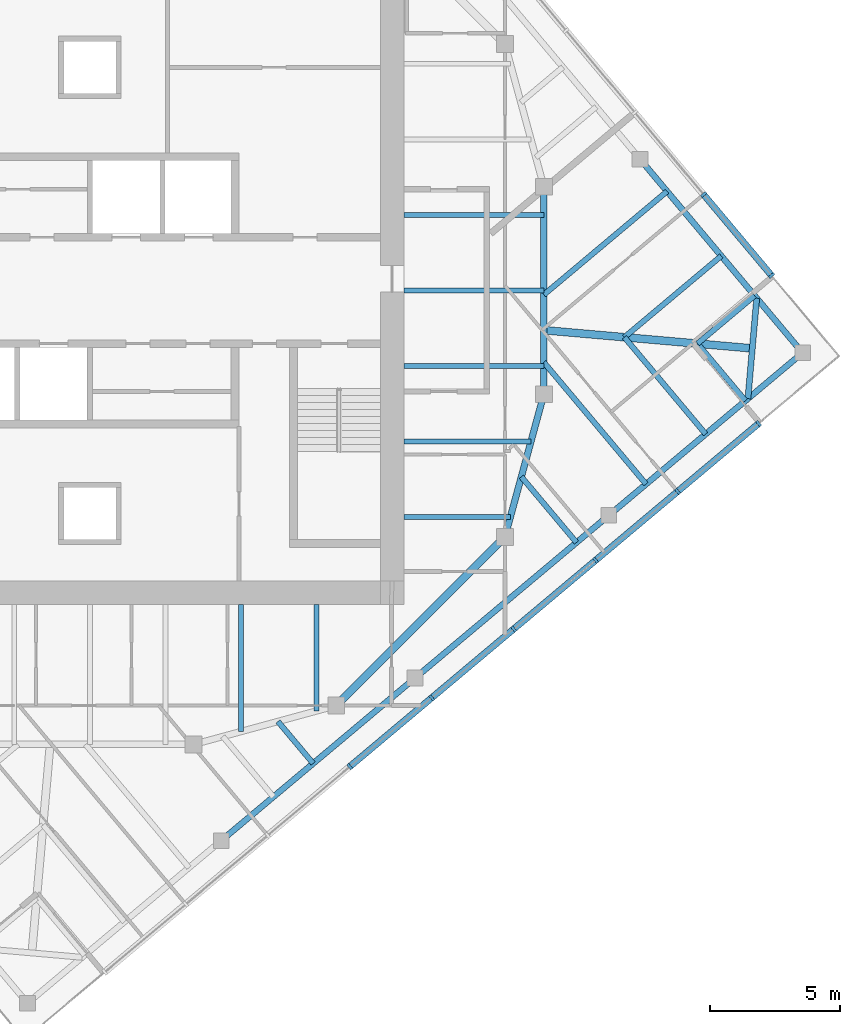
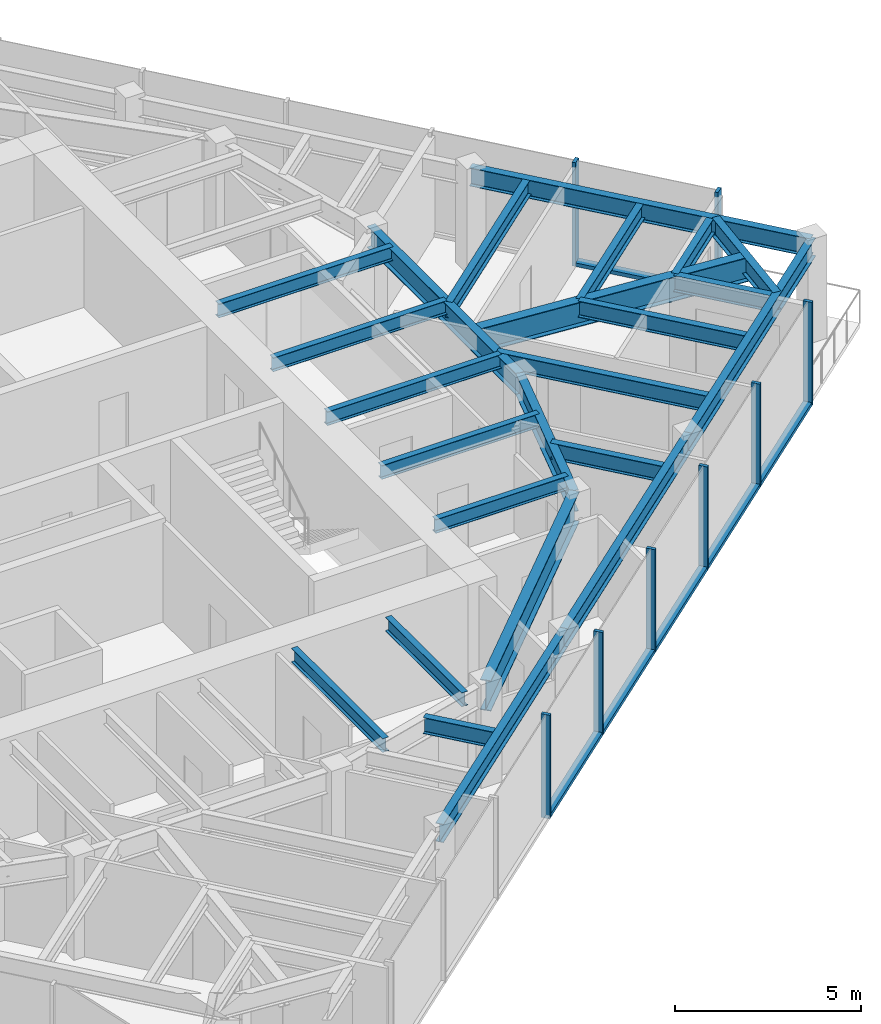
# One storey, part 3 of 12: 24 beams, 14 members, 2 elements without a shape of their own.
"""IFC4 building model written with IfcOpenShell, lengths in metres."""

import ifcopenshell
import ifcopenshell.guid

model = None  # the IFC model being written
_history = None  # IfcOwnerHistory: only IFC2X3 demands one
_inside = {}  # id of a spatial element -> (the spatial element, [elements in it])
_under = {}  # id of a project, library or spatial element -> (it, [spatial elements below it])
_declared = {}  # id of a project -> (the project, [libraries it declares])
_typed = {}  # id of a type object -> (the type object, [elements of that type])
_made_of = {}  # id of a material, layer set ... -> (it, [elements and type objects made of it])


def new_model(schema):
    """Start an empty IFC model of exactly this schema.

    Asked for "IFC4X3", IfcOpenShell would pick the latest addendum, in which some entities
    have other attributes; the version numbers below select the first issue.
    IFC2X3 requires an IfcOwnerHistory on every rooted entity: one is made here for all.
    """
    global model, _history
    if schema == "IFC4X3":
        model = ifcopenshell.file(schema_version=(4, 3, 0, 0))
    else:
        model = ifcopenshell.file(schema=schema)
    _inside.clear()
    _under.clear()
    _declared.clear()
    _typed.clear()
    _made_of.clear()
    _history = None
    if model.schema == "IFC2X3":
        org = make("IfcOrganization", Name="unknown")
        user = make(
            "IfcPersonAndOrganization",
            ThePerson=make("IfcPerson", FamilyName="unknown"),
            TheOrganization=org,
        )
        app = make(
            "IfcApplication",
            ApplicationDeveloper=org,
            Version="unknown",
            ApplicationFullName="unknown",
            ApplicationIdentifier="unknown",
        )
        _history = make(
            "IfcOwnerHistory",
            OwningUser=user,
            OwningApplication=app,
            ChangeAction="ADDED",
            CreationDate=0,
        )
    return model


def make(cls, **values):
    """One entity of the class cls with the attributes given. An attribute that is None is left unset."""
    return model.create_entity(
        cls, **{name: value for name, value in values.items() if value is not None}
    )


def rooted(cls, **values):
    """An entity with a GlobalId (a new one), such as an element, a storey or a relation."""
    return make(cls, GlobalId=ifcopenshell.guid.new(), OwnerHistory=_history, **values)


def si_unit(unit_type, name, prefix=None):
    """IfcSIUnit, for example si_unit("LENGTHUNIT", "METRE", prefix="MILLI")."""
    return make("IfcSIUnit", UnitType=unit_type, Prefix=prefix, Name=name)


def assignment(units):
    """IfcUnitAssignment: the units of a project."""
    return None if units is None else make("IfcUnitAssignment", Units=units)


def point(xyz):
    """IfcCartesianPoint."""
    return None if xyz is None else make("IfcCartesianPoint", Coordinates=xyz)


def direction(xyz):
    """IfcDirection."""
    return None if xyz is None else make("IfcDirection", DirectionRatios=xyz)


def frame(location, z_axis=None, x_axis=None):
    """IfcAxis2Placement3D, a coordinate frame: its origin and axes. An axis left out is left unset."""
    return make(
        "IfcAxis2Placement3D",
        Location=point(location),
        Axis=direction(z_axis),
        RefDirection=direction(x_axis),
    )


def frame_2d(location, x_axis=None):
    """IfcAxis2Placement2D, a coordinate frame in the plane: its origin and x axis."""
    return make(
        "IfcAxis2Placement2D", Location=point(location), RefDirection=direction(x_axis)
    )


def origin():
    """The frame at (0, 0, 0) with its axes left unset."""
    return frame((0.0, 0.0, 0.0))


def origin_2d():
    """The frame at (0, 0) in the plane with its x axis left unset."""
    return frame_2d((0.0, 0.0))


def place(relative_to, where):
    """IfcLocalPlacement: puts the frame where relative to a parent placement (None: the world)."""
    return make(
        "IfcLocalPlacement", PlacementRelTo=relative_to, RelativePlacement=where
    )


def context(
    kind, dimensions, precision=None, world=None, true_north=None, identifier=None
):
    """IfcGeometricRepresentationContext, for example the 3D "Model" context."""
    return make(
        "IfcGeometricRepresentationContext",
        ContextIdentifier=identifier,
        ContextType=kind,
        CoordinateSpaceDimension=dimensions,
        Precision=precision,
        WorldCoordinateSystem=world,
        TrueNorth=true_north,
    )


def subcontext(parent, identifier, kind, view, scale=None):
    """IfcGeometricRepresentationSubContext, for example "Body" below "Model"."""
    return make(
        "IfcGeometricRepresentationSubContext",
        ContextIdentifier=identifier,
        ContextType=kind,
        ParentContext=parent,
        TargetScale=scale,
        TargetView=view,
    )


def project(units=None, contexts=None):
    """IfcProject with its units and contexts."""
    return rooted(
        "IfcProject",
        Name="project",
        RepresentationContexts=contexts,
        UnitsInContext=assignment(units),
    )


def spatial(cls, under=None, at=None, **own):
    """A site, building, storey or space (cls), placed at a placement, below another one or the project."""
    s = rooted(cls, ObjectPlacement=at, **own)
    if under is not None:
        _under.setdefault(under.id(), (under, []))[1].append(s)
    return s


def profile(cls, at=None, kind="AREA", **sizes):
    """A parametric profile (cls). Its sizes go by their IFC names, for example OverallWidth=200.0."""
    return make(cls, ProfileType=kind, Position=at, **sizes)


def rectangle(**sizes):
    """IfcRectangleProfileDef."""
    return profile("IfcRectangleProfileDef", **sizes)


def i_section(**sizes):
    """IfcIShapeProfileDef."""
    return profile("IfcIShapeProfileDef", **sizes)


def extrude(swept, where, along, depth):
    """IfcExtrudedAreaSolid: the profile swept, set in the frame where, extruded along a direction by depth."""
    return make(
        "IfcExtrudedAreaSolid",
        SweptArea=swept,
        Position=where,
        ExtrudedDirection=direction(along),
        Depth=depth,
    )


def shape(context_of_items, identifier, shape_type, items):
    """IfcShapeRepresentation: the items that make up one representation, for example the "Body"."""
    return make(
        "IfcShapeRepresentation",
        ContextOfItems=context_of_items,
        RepresentationIdentifier=identifier,
        RepresentationType=shape_type,
        Items=items,
    )


def material(Name=None, Category=None):
    """IfcMaterial."""
    return make("IfcMaterial", Name=Name, Category=Category)


def material_profile(
    of_material, cross_section, Name=None, Category=None, Priority=None
):
    """IfcMaterialProfile: a cross section and its material."""
    return make(
        "IfcMaterialProfile",
        Name=Name,
        Material=of_material,
        Profile=cross_section,
        Priority=Priority,
        Category=Category,
    )


def profile_set(profiles, Name=None, composite=None):
    """IfcMaterialProfileSet."""
    return make(
        "IfcMaterialProfileSet",
        Name=Name,
        MaterialProfiles=profiles,
        CompositeProfile=composite,
    )


def made_of(thing, what):
    """Note that an element or type object is made of a material, layer set ...; save() writes the relation."""
    if what is not None:
        _made_of.setdefault(what.id(), (what, []))[1].append(thing)
    return thing


def type_object(cls, material=None, **own):
    """A type object (cls), such as IfcWallType, which elements share."""
    return made_of(rooted(cls, **own), material)


def element(
    cls,
    number,
    at=None,
    inside=None,
    cuts=None,
    type_object=None,
    material=None,
    context=None,
    identifier="Body",
    shape_type=None,
    held_by="IfcProductDefinitionShape",
    body=None,
    shapes=None,
    **own,
):
    """One element of the class cls, such as IfcWall. Its Tag is "e" and its number.

    at: its placement. inside: the storey or other place that contains it. cuts: it is an
    opening in that element (IfcRelVoidsElement). A single representation is given by context,
    identifier, shape_type and body (its items); several are given by shapes. held_by: the class
    of the entity that holds the representations. save() writes the other relations.
    """
    e = rooted(cls, Tag="e%d" % number, ObjectPlacement=at, **own)
    if body is not None:
        shapes = [shape(context, identifier, shape_type, body)]
    if shapes is not None:
        e.Representation = make(held_by, Representations=shapes)
    if inside is not None:
        _inside.setdefault(inside.id(), (inside, []))[1].append(e)
    if cuts is not None:
        rooted(
            "IfcRelVoidsElement", RelatingBuildingElement=cuts, RelatedOpeningElement=e
        )
    if type_object is not None:
        _typed.setdefault(type_object.id(), (type_object, []))[1].append(e)
    return made_of(e, material)


def aggregate(whole, parts):
    """IfcRelAggregates: a whole, such as a stair, and the parts it consists of."""
    return rooted("IfcRelAggregates", RelatingObject=whole, RelatedObjects=parts)


def save(model, path):
    """Write the relations noted so far, then the file.

    IfcRelAggregates (storeys below a building ...), IfcRelContainedInSpatialStructure (elements
    in a storey), IfcRelDefinesByType, IfcRelAssociatesMaterial and IfcRelDeclares: one each for
    every whole, place, type object, material and project.
    """
    for whole, parts in _under.values():
        aggregate(whole, parts)
    for where, things in _inside.values():
        rooted(
            "IfcRelContainedInSpatialStructure",
            RelatedElements=things,
            RelatingStructure=where,
        )
    for kind, things in _typed.values():
        rooted("IfcRelDefinesByType", RelatedObjects=things, RelatingType=kind)
    for what, things in _made_of.values():
        rooted("IfcRelAssociatesMaterial", RelatedObjects=things, RelatingMaterial=what)
    for by, libraries in _declared.values():
        rooted("IfcRelDeclares", RelatingContext=by, RelatedDefinitions=libraries)
    model.write(path)


model = new_model("IFC4")

# Units and contexts
model_context = context("Model", 3, precision=1e-05, world=origin(), true_north=direction((0.0, 1.0)))
body_context = subcontext(model_context, "Body", "Model", "MODEL_VIEW")
ifc_project = project(units=[si_unit("LENGTHUNIT", "METRE"), si_unit("AREAUNIT", "SQUARE_METRE"), si_unit("VOLUMEUNIT", "CUBIC_METRE"), si_unit("PLANEANGLEUNIT", "RADIAN"), si_unit("MASSUNIT", "GRAM", prefix="KILO")], contexts=[model_context])

# Site, building, storey
site_placement = place(None, origin())
site = spatial("IfcSite", under=ifc_project, at=site_placement, CompositionType="ELEMENT")
building_placement = place(site_placement, origin())
building = spatial("IfcBuilding", under=site, at=building_placement, Name="Torsade Residences", CompositionType="ELEMENT")
storey_placement = place(building_placement, frame((0.0, 0.0, 282.800048828125)))
storey = spatial("IfcBuildingStorey", under=building, at=storey_placement, Name="L78", CompositionType="ELEMENT", Elevation=282.800048828125)

# Beams
ifc_material_1 = material(Name="Steel grade 300", Category="steel")
ifc_material_profile_1 = material_profile(ifc_material_1, i_section(OverallWidth=0.300048828125, OverallDepth=0.800048828125, WebThickness=0.010009765625, FlangeThickness=0.02001953125, at=origin_2d()), Name="800WB146")
ifc_profile_set_1 = profile_set([ifc_material_profile_1], Name="Steel grade 300")
beam_type_1 = type_object("IfcBeamType", Name="CORNER GIRDER 800WB146", PredefinedType="BEAM", material=ifc_profile_set_1)
beam_1_placement = place(storey_placement, frame((65.53515625, 27.765869140625, 2.849853515625), z_axis=(-0.996193191806, 0.087172957961, 0.0), x_axis=(-0.087172957961, -0.996193191806, 0.0)))
element("IfcBeam", 1, at=beam_1_placement, inside=storey, type_object=beam_type_1, Name="Corner girder 05 L79", PredefinedType="BEAM", context=body_context, shape_type="SweptSolid", body=[
    extrude(i_section(OverallWidth=0.300048828125, OverallDepth=0.800048828125, WebThickness=0.010009765625, FlangeThickness=0.02001953125, at=origin_2d()), origin(), (0.0, 0.0, 1.0), 8.06591796875),
])
ifc_material_2 = material(Name="Steel grade 300", Category="steel")
ifc_material_profile_2 = material_profile(ifc_material_2, i_section(OverallWidth=0.22802734375, OverallDepth=0.60205078125, WebThickness=0.010498046875, FlangeThickness=0.014892578125, FilletRadius=0.013916015625, at=origin_2d()), Name="610UB101")
ifc_profile_set_2 = profile_set([ifc_material_profile_2], Name="Steel grade 300")
beam_type_2 = type_object("IfcBeamType", Name="CORNER TRIMMER 610UB101", PredefinedType="BEAM", material=ifc_profile_set_2)
beam_2_placement = place(storey_placement, frame((65.70458984375, 29.703125, 2.948974609375), z_axis=(-0.087133464362, -0.996196646947, 0.0), x_axis=(0.996196646947, -0.087133464362, 0.0)))
element("IfcBeam", 2, at=beam_2_placement, inside=storey, type_object=beam_type_2, Name="Corner trimmer 05 L79", PredefinedType="BEAM", context=body_context, shape_type="SweptSolid", body=[
    extrude(i_section(OverallWidth=0.22802734375, OverallDepth=0.60205078125, WebThickness=0.010498046875, FlangeThickness=0.014892578125, FilletRadius=0.013916015625, at=origin_2d()), origin(), (0.0, 0.0, 1.0), 3.88916015625),
])
ifc_material_3 = material(Name="Steel grade 300", Category="steel")
ifc_material_profile_3 = material_profile(ifc_material_3, i_section(OverallWidth=0.22802734375, OverallDepth=0.60205078125, WebThickness=0.010498046875, FlangeThickness=0.014892578125, FilletRadius=0.013916015625, at=origin_2d()), Name="610UB101")
ifc_profile_set_3 = profile_set([ifc_material_profile_3], Name="Steel grade 300")
beam_type_3 = type_object("IfcBeamType", Name="EDGE BEAM 610UB101", PredefinedType="SPANDREL", material=ifc_profile_set_3)
for number, where, z_axis, x_axis, name in (
    (3, (45.0654296875, 8.794921875, 2.948974609375), (0.766051532934, 0.642779160279, 0.0), (-0.642779160279, 0.766051532934, 0.0), "Edge beam 02 L79"),
    (4, (52.534423828125, 15.06201171875, 2.948974609375), (0.766028856906, 0.642806184154, 0.0), (-0.642806184154, 0.766028856906, 0.0), "Edge beam 03 L79"),
    (5, (60.003173828125, 21.329345703125, 2.948974609375), (0.766051532934, 0.642779160279, 0.0), (-0.642779160279, 0.766051532934, 0.0), "Edge beam 04 L79"),
    (6, (67.47216796875, 27.596435546875, 2.948974609375), (-0.642779160279, 0.766051532934, 0.0), (-0.766051532934, -0.642779160279, 0.0), "Edge beam 05 L79"),
):
    element("IfcBeam", number, at=place(storey_placement, frame(where, z_axis=z_axis, x_axis=x_axis)), inside=storey, type_object=beam_type_3, Name=name, PredefinedType="SPANDREL", context=body_context, shape_type="SweptSolid", body=[
        extrude(i_section(OverallWidth=0.22802734375, OverallDepth=0.60205078125, WebThickness=0.010498046875, FlangeThickness=0.014892578125, FilletRadius=0.013916015625, at=origin_2d()), origin(), (0.0, 0.0, 1.0), 9.75),
    ])

# Curtain wall, members
ifc_material_4 = material(Name="Aluminium and glass", Category="aluminium")
curtain_wall_type = type_object("IfcCurtainWallType", Name="FRITTED GLASS CURTAIN WALL HIGH ZONE", PredefinedType="NOTDEFINED", material=ifc_material_4)
curtain_wall_1_placement = place(storey_placement, origin())
curtain_wall_1 = element("IfcCurtainWall", 7, at=curtain_wall_1_placement, inside=storey, type_object=curtain_wall_type, Name="Curtain wall L78 face 1", PredefinedType="NOTDEFINED")
ifc_material_5 = material(Name="Aluminium mullion", Category="aluminium")
ifc_material_profile_4 = material_profile(ifc_material_5, rectangle(XDim=0.25, YDim=0.10009765625, at=origin_2d()), Name="HIGH ZONE CURTAIN WALL MULLION 250x100")
ifc_profile_set_4 = profile_set([ifc_material_profile_4], Name="Aluminium mullion")
member_type_1 = type_object("IfcMemberType", Name="HIGH ZONE CURTAIN WALL MULLION 250x100", PredefinedType="MULLION", material=ifc_profile_set_4)
member_1_placement = place(storey_placement, frame((50.017333984375, 11.64453125, 0.0), z_axis=(0.0, 0.0, 1.0), x_axis=(-0.642787616853, 0.766044437106, 0.0)))
member_1 = element("IfcMember", 8, at=member_1_placement, type_object=member_type_1, Name="Mullion 4", PredefinedType="MULLION", context=body_context, shape_type="SweptSolid", body=[
    extrude(rectangle(XDim=0.25, YDim=0.10009765625, at=origin_2d()), origin(), (0.0, 0.0, 1.0), 3.39990234375),
])
member_2_placement = place(storey_placement, frame((53.17724609375, 14.296142578125, 0.0), z_axis=(0.0, 0.0, 1.0), x_axis=(-0.642787616853, 0.766044437106, 0.0)))
member_2 = element("IfcMember", 9, at=member_2_placement, type_object=member_type_1, Name="Mullion 5", PredefinedType="MULLION", context=body_context, shape_type="SweptSolid", body=[
    extrude(rectangle(XDim=0.25, YDim=0.10009765625, at=origin_2d()), origin(), (0.0, 0.0, 1.0), 3.39990234375),
])
member_3_placement = place(storey_placement, frame((56.337158203125, 16.947509765625, 0.0), z_axis=(0.0, 0.0, 1.0), x_axis=(-0.642787616853, 0.766044437106, 0.0)))
member_3 = element("IfcMember", 10, at=member_3_placement, type_object=member_type_1, Name="Mullion 6", PredefinedType="MULLION", context=body_context, shape_type="SweptSolid", body=[
    extrude(rectangle(XDim=0.25, YDim=0.10009765625, at=origin_2d()), origin(), (0.0, 0.0, 1.0), 3.39990234375),
])
member_4_placement = place(storey_placement, frame((59.4970703125, 19.59912109375, 0.0), z_axis=(0.0, 0.0, 1.0), x_axis=(-0.642787616853, 0.766044437106, 0.0)))
member_4 = element("IfcMember", 11, at=member_4_placement, type_object=member_type_1, Name="Mullion 7", PredefinedType="MULLION", context=body_context, shape_type="SweptSolid", body=[
    extrude(rectangle(XDim=0.25, YDim=0.10009765625, at=origin_2d()), origin(), (0.0, 0.0, 1.0), 3.39990234375),
])
member_5_placement = place(storey_placement, frame((62.656982421875, 22.25048828125, 0.0), z_axis=(0.0, 0.0, 1.0), x_axis=(-0.642787616853, 0.766044437106, 0.0)))
member_5 = element("IfcMember", 12, at=member_5_placement, type_object=member_type_1, Name="Mullion 8", PredefinedType="MULLION", context=body_context, shape_type="SweptSolid", body=[
    extrude(rectangle(XDim=0.25, YDim=0.10009765625, at=origin_2d()), origin(), (0.0, 0.0, 1.0), 3.39990234375),
])
member_6_placement = place(storey_placement, frame((65.778564453125, 24.869873046875, 0.0), z_axis=(0.0, 0.0, 1.0), x_axis=(-0.642787616853, 0.766044437106, 0.0)))
member_6 = element("IfcMember", 13, at=member_6_placement, type_object=member_type_1, Name="Mullion 9", PredefinedType="MULLION", context=body_context, shape_type="SweptSolid", body=[
    extrude(rectangle(XDim=0.25, YDim=0.10009765625, at=origin_2d()), origin(), (0.0, 0.0, 1.0), 3.39990234375),
])

curtain_wall_2_placement = place(storey_placement, origin())
curtain_wall_2 = element("IfcCurtainWall", 14, at=curtain_wall_2_placement, inside=storey, type_object=curtain_wall_type, Name="Curtain wall L78 face 4", PredefinedType="NOTDEFINED")
member_7_placement = place(storey_placement, frame((66.27783203125, 30.57568359375, 0.0), z_axis=(0.0, 0.0, 1.0), x_axis=(-0.766044437106, -0.642787616853, 0.0)))
member_7 = element("IfcMember", 15, at=member_7_placement, type_object=member_type_1, Name="Mullion 1", PredefinedType="MULLION", context=body_context, shape_type="SweptSolid", body=[
    extrude(rectangle(XDim=0.25, YDim=0.10009765625, at=origin_2d()), origin(), (0.0, 0.0, 1.0), 3.39990234375),
])
member_8_placement = place(storey_placement, frame((63.658447265625, 33.697265625, 0.0), z_axis=(0.0, 0.0, 1.0), x_axis=(-0.766044437106, -0.642787616853, 0.0)))
member_8 = element("IfcMember", 16, at=member_8_placement, type_object=member_type_1, Name="Mullion 2", PredefinedType="MULLION", context=body_context, shape_type="SweptSolid", body=[
    extrude(rectangle(XDim=0.25, YDim=0.10009765625, at=origin_2d()), origin(), (0.0, 0.0, 1.0), 3.39990234375),
])

# Member
ifc_material_6 = material(Name="Aluminium transom", Category="aluminium")
ifc_material_profile_5 = material_profile(ifc_material_6, rectangle(XDim=0.25, YDim=0.1201171875, at=origin_2d()), Name="HIGH ZONE CURTAIN WALL TRANSOM 250x120")
ifc_profile_set_5 = profile_set([ifc_material_profile_5], Name="Aluminium transom")
member_type_2 = type_object("IfcMemberType", Name="HIGH ZONE CURTAIN WALL TRANSOM 250x120", PredefinedType="USERDEFINED", material=ifc_profile_set_5)
member_9_placement = place(storey_placement, frame((50.055419921875, 11.6767578125, 0.06005859375), z_axis=(0.766069182322, 0.6427581255, 0.0), x_axis=(-0.6427581255, 0.766069182322, 0.0)))
member_9 = element("IfcMember", 17, at=member_9_placement, type_object=member_type_2, Name="Transom 4.1", ObjectType="TRANSOM", PredefinedType="USERDEFINED", context=body_context, shape_type="SweptSolid", body=[
    extrude(rectangle(XDim=0.25, YDim=0.1201171875, at=origin_2d()), origin(), (0.0, 0.0, 1.0), 4.025146484375),
])

member_10_placement = place(storey_placement, frame((53.21533203125, 14.328125, 0.06005859375), z_axis=(0.766039316443, 0.642793719372, 0.0), x_axis=(-0.642793719372, 0.766039316443, 0.0)))
member_10 = element("IfcMember", 18, at=member_10_placement, type_object=member_type_2, Name="Transom 5.1", ObjectType="TRANSOM", PredefinedType="USERDEFINED", context=body_context, shape_type="SweptSolid", body=[
    extrude(rectangle(XDim=0.25, YDim=0.1201171875, at=origin_2d()), origin(), (0.0, 0.0, 1.0), 4.025146484375),
])

member_11_placement = place(storey_placement, frame((56.37548828125, 16.979736328125, 0.06005859375), z_axis=(0.766044121803, 0.642787992616, 0.0), x_axis=(-0.642787992616, 0.766044121803, 0.0)))
member_11 = element("IfcMember", 19, at=member_11_placement, type_object=member_type_2, Name="Transom 6.1", ObjectType="TRANSOM", PredefinedType="USERDEFINED", context=body_context, shape_type="SweptSolid", body=[
    extrude(rectangle(XDim=0.25, YDim=0.1201171875, at=origin_2d()), origin(), (0.0, 0.0, 1.0), 4.02490234375),
])

member_12_placement = place(storey_placement, frame((59.535400390625, 19.63134765625, 0.06005859375), z_axis=(0.766044121803, 0.642787992616, 0.0), x_axis=(-0.642787992616, 0.766044121803, 0.0)))
member_12 = element("IfcMember", 20, at=member_12_placement, type_object=member_type_2, Name="Transom 7.1", ObjectType="TRANSOM", PredefinedType="USERDEFINED", context=body_context, shape_type="SweptSolid", body=[
    extrude(rectangle(XDim=0.25, YDim=0.1201171875, at=origin_2d()), origin(), (0.0, 0.0, 1.0), 4.02490234375),
])

member_13_placement = place(storey_placement, frame((62.6953125, 22.28271484375, 0.06005859375), z_axis=(0.766021778456, 0.642814619413, 0.0), x_axis=(-0.642814619413, 0.766021778456, 0.0)))
member_13 = element("IfcMember", 21, at=member_13_placement, type_object=member_type_2, Name="Transom 8.1", ObjectType="TRANSOM", PredefinedType="USERDEFINED", context=body_context, shape_type="SweptSolid", body=[
    extrude(rectangle(XDim=0.25, YDim=0.1201171875, at=origin_2d()), origin(), (0.0, 0.0, 1.0), 3.97509765625),
])

aggregate(curtain_wall_1, [member_1, member_2, member_3, member_4, member_5, member_6, member_9, member_10, member_11, member_12, member_13])

member_14_placement = place(storey_placement, frame((66.24560546875, 30.614013671875, 0.06005859375), z_axis=(-0.642814619413, 0.766021778456, 0.0), x_axis=(-0.766021778456, -0.642814619413, 0.0)))
member_14 = element("IfcMember", 22, at=member_14_placement, type_object=member_type_2, Name="Transom 1.1", ObjectType="TRANSOM", PredefinedType="USERDEFINED", context=body_context, shape_type="SweptSolid", body=[
    extrude(rectangle(XDim=0.25, YDim=0.1201171875, at=origin_2d()), origin(), (0.0, 0.0, 1.0), 3.97509765625),
])

aggregate(curtain_wall_2, [member_7, member_8, member_14])

# Beams
ifc_material_7 = material(Name="Steel grade 300", Category="steel")
ifc_material_profile_6 = material_profile(ifc_material_7, i_section(OverallWidth=0.18994140625, OverallDepth=0.4541015625, WebThickness=0.008544921875, FlangeThickness=0.0126953125, FilletRadius=0.011474609375, at=origin_2d()), Name="460UB67.1")
ifc_profile_set_6 = profile_set([ifc_material_profile_6], Name="Steel grade 300")
beam_type_4 = type_object("IfcBeamType", Name="INNER FLOOR BEAM 460UB67.1", PredefinedType="JOIST", material=ifc_profile_set_6)
beam_3_placement = place(storey_placement, frame((48.737548828125, 17.89990234375, 3.02294921875), z_axis=(0.0, -1.0, 0.0), x_axis=(1.0, 0.0, 0.0)))
element("IfcBeam", 23, at=beam_3_placement, inside=storey, type_object=beam_type_4, Name="Inner floor beam IS01 L79", PredefinedType="JOIST", context=body_context, shape_type="SweptSolid", body=[
    extrude(i_section(OverallWidth=0.18994140625, OverallDepth=0.4541015625, WebThickness=0.008544921875, FlangeThickness=0.0126953125, FilletRadius=0.011474609375, at=origin_2d()), origin(), (0.0, 0.0, 1.0), 4.10791015625),
])
beam_4_placement = place(storey_placement, frame((45.824951171875, 17.89990234375, 3.02294921875), z_axis=(0.0, -1.0, 0.0), x_axis=(1.0, 0.0, 0.0)))
element("IfcBeam", 24, at=beam_4_placement, inside=storey, type_object=beam_type_4, Name="Inner floor beam IS02 L79", PredefinedType="JOIST", context=body_context, shape_type="SweptSolid", body=[
    extrude(i_section(OverallWidth=0.18994140625, OverallDepth=0.4541015625, WebThickness=0.008544921875, FlangeThickness=0.0126953125, FilletRadius=0.011474609375, at=origin_2d()), origin(), (0.0, 0.0, 1.0), 4.902099609375),
])
beam_5_placement = place(storey_placement, frame((52.10009765625, 21.262451171875, 3.02294921875), z_axis=(1.0, 0.0, 0.0), x_axis=(0.0, 1.0, 0.0)))
element("IfcBeam", 25, at=beam_5_placement, inside=storey, type_object=beam_type_4, Name="Inner floor beam IE01 L79", PredefinedType="JOIST", context=body_context, shape_type="SweptSolid", body=[
    extrude(i_section(OverallWidth=0.18994140625, OverallDepth=0.4541015625, WebThickness=0.008544921875, FlangeThickness=0.0126953125, FilletRadius=0.011474609375, at=origin_2d()), origin(), (0.0, 0.0, 1.0), 4.10791015625),
])
beam_6_placement = place(storey_placement, frame((52.10009765625, 24.175048828125, 3.02294921875), z_axis=(1.0, 0.0, 0.0), x_axis=(0.0, 1.0, 0.0)))
element("IfcBeam", 26, at=beam_6_placement, inside=storey, type_object=beam_type_4, Name="Inner floor beam IE02 L79", PredefinedType="JOIST", context=body_context, shape_type="SweptSolid", body=[
    extrude(i_section(OverallWidth=0.18994140625, OverallDepth=0.4541015625, WebThickness=0.008544921875, FlangeThickness=0.0126953125, FilletRadius=0.011474609375, at=origin_2d()), origin(), (0.0, 0.0, 1.0), 4.902099609375),
])
for number, where, z_axis, x_axis, name in (
    (27, (52.10009765625, 27.08740234375, 3.02294921875), (1.0, 0.0, 0.0), (0.0, 1.0, 0.0), "Inner floor beam IE03 L79"),
    (28, (52.10009765625, 30.0, 3.02294921875), (1.0, 0.0, 0.0), (0.0, 1.0, 0.0), "Inner floor beam IE04 L79"),
    (29, (52.10009765625, 32.91259765625, 3.02294921875), (1.0, 0.0, 0.0), (0.0, 1.0, 0.0), "Inner floor beam IE05 L79"),
):
    element("IfcBeam", number, at=place(storey_placement, frame(where, z_axis=z_axis, x_axis=x_axis)), inside=storey, type_object=beam_type_4, Name=name, PredefinedType="JOIST", context=body_context, shape_type="SweptSolid", body=[
        extrude(i_section(OverallWidth=0.18994140625, OverallDepth=0.4541015625, WebThickness=0.008544921875, FlangeThickness=0.0126953125, FilletRadius=0.011474609375, at=origin_2d()), origin(), (0.0, 0.0, 1.0), 5.39990234375),
    ])
ifc_material_8 = material(Name="Steel grade 300", Category="steel")
ifc_material_profile_7 = material_profile(ifc_material_8, i_section(OverallWidth=0.300048828125, OverallDepth=1.0, WebThickness=0.01611328125, FlangeThickness=0.028076171875, at=origin_2d()), Name="1000WB215")
ifc_profile_set_7 = profile_set([ifc_material_profile_7], Name="Steel grade 300")
beam_type_5 = type_object("IfcBeamType", Name="RING CORNER GIRDER 1000WB215", PredefinedType="BEAM", material=ifc_profile_set_7)
beam_7_placement = place(storey_placement, frame((49.5, 14.0, 2.75), z_axis=(0.707106781187, 0.707106781187, 0.0), x_axis=(-0.707106781187, 0.707106781187, 0.0)))
element("IfcBeam", 30, at=beam_7_placement, inside=storey, type_object=beam_type_5, Name="Ring girder IR15 L79", PredefinedType="BEAM", context=body_context, shape_type="SweptSolid", body=[
    extrude(i_section(OverallWidth=0.300048828125, OverallDepth=1.0, WebThickness=0.01611328125, FlangeThickness=0.028076171875, at=origin_2d()), origin(), (0.0, 0.0, 1.0), 9.1923828125),
])
ifc_material_9 = material(Name="Steel grade 300", Category="steel")
ifc_material_profile_8 = material_profile(ifc_material_9, i_section(OverallWidth=0.25, OverallDepth=0.699951171875, WebThickness=0.010009765625, FlangeThickness=0.02001953125, at=origin_2d()), Name="700WB130")
ifc_profile_set_8 = profile_set([ifc_material_profile_8], Name="Steel grade 300")
beam_type_6 = type_object("IfcBeamType", Name="RING GIRDER 700WB130", PredefinedType="BEAM", material=ifc_profile_set_8)
beam_8_placement = place(storey_placement, frame((57.5, 26.0, 2.89990234375), z_axis=(0.0, 1.0, 0.0), x_axis=(-1.0, 0.0, 0.0)))
element("IfcBeam", 31, at=beam_8_placement, inside=storey, type_object=beam_type_6, Name="Ring girder IR01 L79", PredefinedType="BEAM", context=body_context, shape_type="SweptSolid", body=[
    extrude(i_section(OverallWidth=0.25, OverallDepth=0.699951171875, WebThickness=0.010009765625, FlangeThickness=0.02001953125, at=origin_2d()), origin(), (0.0, 0.0, 1.0), 8.0),
])
beam_9_placement = place(storey_placement, frame((56.0, 20.5, 2.89990234375), z_axis=(0.263117405792, 0.964763821238, 0.0), x_axis=(-0.964763821238, 0.263117405792, 0.0)))
element("IfcBeam", 32, at=beam_9_placement, inside=storey, type_object=beam_type_6, Name="Ring girder IR16 L79", PredefinedType="BEAM", context=body_context, shape_type="SweptSolid", body=[
    extrude(i_section(OverallWidth=0.25, OverallDepth=0.699951171875, WebThickness=0.010009765625, FlangeThickness=0.02001953125, at=origin_2d()), origin(), (0.0, 0.0, 1.0), 5.700927734375),
])
ifc_material_10 = material(Name="Steel grade 300", Category="steel")
ifc_material_profile_9 = material_profile(ifc_material_10, i_section(OverallWidth=0.208984375, OverallDepth=0.532958984375, WebThickness=0.01025390625, FlangeThickness=0.015625, FilletRadius=0.013916015625, at=origin_2d()), Name="530UB92.4")
ifc_profile_set_9 = profile_set([ifc_material_profile_9], Name="Steel grade 300")
beam_type_7 = type_object("IfcBeamType", Name="SECONDARY BEAM 530UB92.4", PredefinedType="JOIST", material=ifc_profile_set_9)
beam_10_placement = place(storey_placement, frame((48.6083984375, 11.767822265625, 2.9833984375), z_axis=(-0.642771977004, 0.766057560226, 0.0), x_axis=(-0.766057560226, -0.642771977004, 0.0)))
element("IfcBeam", 33, at=beam_10_placement, inside=storey, type_object=beam_type_7, Name="Floor beam FS05 L79", PredefinedType="JOIST", context=body_context, shape_type="SweptSolid", body=[
    extrude(i_section(OverallWidth=0.208984375, OverallDepth=0.532958984375, WebThickness=0.01025390625, FlangeThickness=0.015625, FilletRadius=0.013916015625, at=origin_2d()), origin(), (0.0, 0.0, 1.0), 2.113037109375),
])
beam_11_placement = place(storey_placement, frame((58.758544921875, 20.28466796875, 2.9833984375), z_axis=(-0.642786956891, 0.766044990879, 0.0), x_axis=(-0.766044990879, -0.642786956891, 0.0)))
element("IfcBeam", 34, at=beam_11_placement, inside=storey, type_object=beam_type_7, Name="Floor beam FS09 L79", PredefinedType="JOIST", context=body_context, shape_type="SweptSolid", body=[
    extrude(i_section(OverallWidth=0.208984375, OverallDepth=0.532958984375, WebThickness=0.01025390625, FlangeThickness=0.015625, FilletRadius=0.013916015625, at=origin_2d()), origin(), (0.0, 0.0, 1.0), 3.307861328125),
])
beam_12_placement = place(storey_placement, frame((61.439697265625, 22.534423828125, 2.9833984375), z_axis=(-0.642794037701, 0.766039049329, 0.0), x_axis=(-0.766039049329, -0.642794037701, 0.0)))
element("IfcBeam", 35, at=beam_12_placement, inside=storey, type_object=beam_type_7, Name="Floor beam FS10 L79", PredefinedType="JOIST", context=body_context, shape_type="SweptSolid", body=[
    extrude(i_section(OverallWidth=0.208984375, OverallDepth=0.532958984375, WebThickness=0.01025390625, FlangeThickness=0.015625, FilletRadius=0.013916015625, at=origin_2d()), origin(), (0.0, 0.0, 1.0), 6.12890625),
])
beam_13_placement = place(storey_placement, frame((63.73779296875, 24.462890625, 2.9833984375), z_axis=(-0.642791490223, 0.766041186946, 0.0), x_axis=(-0.766041186946, -0.642791490223, 0.0)))
element("IfcBeam", 36, at=beam_13_placement, inside=storey, type_object=beam_type_7, Name="Floor beam FS11 L79", PredefinedType="JOIST", context=body_context, shape_type="SweptSolid", body=[
    extrude(i_section(OverallWidth=0.208984375, OverallDepth=0.532958984375, WebThickness=0.01025390625, FlangeThickness=0.015625, FilletRadius=0.013916015625, at=origin_2d()), origin(), (0.0, 0.0, 1.0), 4.875),
])
for number, where, z_axis, x_axis, name in (
    (37, (65.269775390625, 25.74853515625, 2.9833984375), (-0.642761807001, 0.766066093402, 0.0), (-0.766066093402, -0.642761807001, 0.0), "Floor beam FS12 L79"),
    (38, (65.624267578125, 29.798828125, 2.9833984375), (-0.766066093402, -0.642761807001, 0.0), (0.642761807001, -0.766066093402, 0.0), "Floor beam FE01 L79"),
):
    element("IfcBeam", number, at=place(storey_placement, frame(where, z_axis=z_axis, x_axis=x_axis)), inside=storey, type_object=beam_type_7, Name=name, PredefinedType="JOIST", context=body_context, shape_type="SweptSolid", body=[
        extrude(i_section(OverallWidth=0.208984375, OverallDepth=0.532958984375, WebThickness=0.01025390625, FlangeThickness=0.015625, FilletRadius=0.013916015625, at=origin_2d()), origin(), (0.0, 0.0, 1.0), 2.875),
    ])
beam_14_placement = place(storey_placement, frame((64.338623046875, 31.3310546875, 2.9833984375), z_axis=(-0.766016526982, -0.642820877376, 0.0), x_axis=(0.642820877376, -0.766016526982, 0.0)))
element("IfcBeam", 39, at=beam_14_placement, inside=storey, type_object=beam_type_7, Name="Floor beam FE02 L79", PredefinedType="JOIST", context=body_context, shape_type="SweptSolid", body=[
    extrude(i_section(OverallWidth=0.208984375, OverallDepth=0.532958984375, WebThickness=0.01025390625, FlangeThickness=0.015625, FilletRadius=0.013916015625, at=origin_2d()), origin(), (0.0, 0.0, 1.0), 4.875),
])
beam_15_placement = place(storey_placement, frame((62.24951171875, 33.820556640625, 2.9833984375), z_axis=(-0.766041422722, -0.642791209238, 0.0), x_axis=(0.642791209238, -0.766041422722, 0.0)))
element("IfcBeam", 40, at=beam_15_placement, inside=storey, type_object=beam_type_7, Name="Floor beam FE03 L79", PredefinedType="JOIST", context=body_context, shape_type="SweptSolid", body=[
    extrude(i_section(OverallWidth=0.208984375, OverallDepth=0.532958984375, WebThickness=0.01025390625, FlangeThickness=0.015625, FilletRadius=0.013916015625, at=origin_2d()), origin(), (0.0, 0.0, 1.0), 6.199951171875),
])

save(model, "model.ifc")
